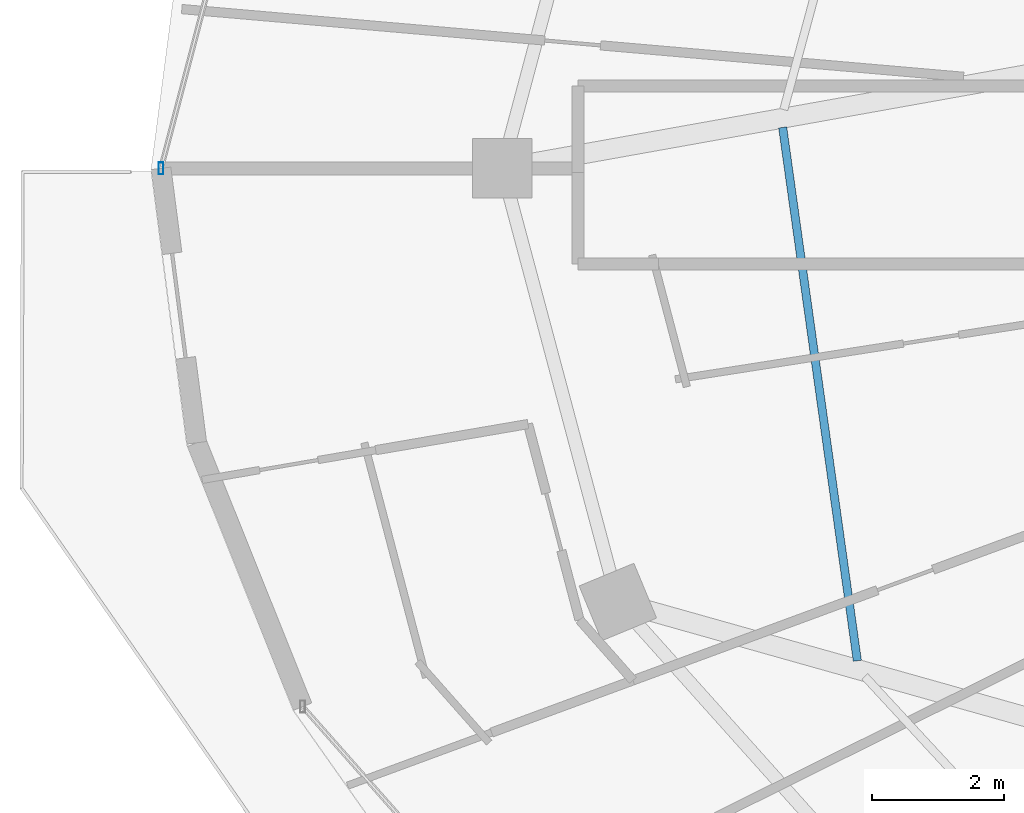
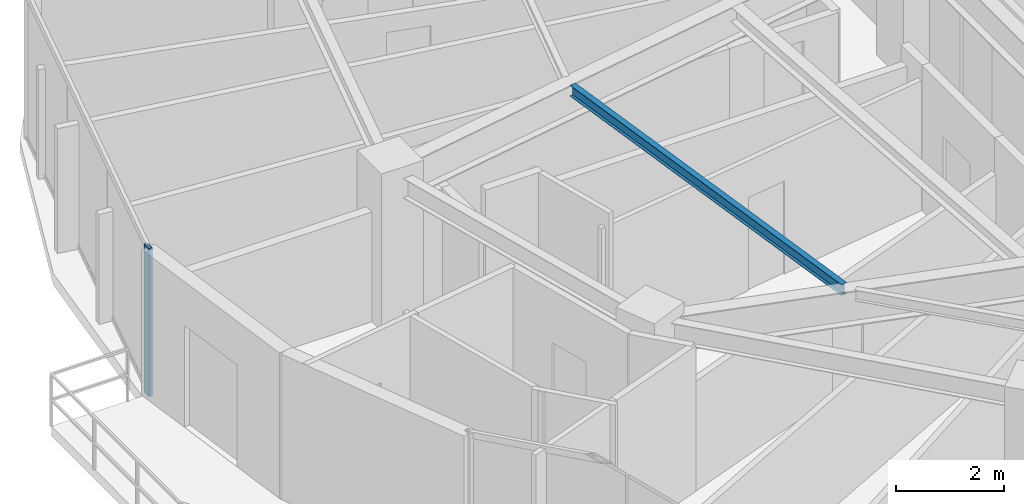
# One storey, part 7 of 33: 1 beam, 1 member, 1 element without a shape of its own.
"""IFC4 building model written with IfcOpenShell, lengths in metres."""

from ifc_helpers import new_model, si_unit, direction, frame, origin, origin_2d, place, context, subcontext, project, spatial, hollow_rectangle, i_section, extrude, material, material_profile, profile_set, type_object, element, aggregate, save


model = new_model("IFC4")

# Units and contexts
model_context = context("Model", 3, precision=1e-05, world=origin(), true_north=direction((0.0, 1.0)))
body_context = subcontext(model_context, "Body", "Model", "MODEL_VIEW")
ifc_project = project(units=[si_unit("LENGTHUNIT", "METRE"), si_unit("AREAUNIT", "SQUARE_METRE"), si_unit("VOLUMEUNIT", "CUBIC_METRE"), si_unit("PLANEANGLEUNIT", "RADIAN"), si_unit("MASSUNIT", "GRAM", prefix="KILO")], contexts=[model_context])

# Site, building, storey
site_placement = place(None, origin())
site = spatial("IfcSite", under=ifc_project, at=site_placement, CompositionType="ELEMENT")
building_placement = place(site_placement, origin())
building = spatial("IfcBuilding", under=site, at=building_placement, Name="Vorneva Point Tower", CompositionType="ELEMENT")
storey_placement = place(building_placement, frame((0.0, 0.0, 200.10009765625)))
storey = spatial("IfcBuildingStorey", under=building, at=storey_placement, Name="L54", CompositionType="ELEMENT", Elevation=200.10009765625)

# Beam
ifc_material_1 = material(Name="Steel S355", Category="steel")
ifc_material_profile_1 = material_profile(ifc_material_1, i_section(OverallWidth=0.1240234375, OverallDepth=0.248046875, WebThickness=0.0048828125, FlangeThickness=0.008056640625, at=origin_2d()), Name="25B1")
ifc_profile_set_1 = profile_set([ifc_material_profile_1], Name="Steel S355")
beam_type = type_object("IfcBeamType", Name="BM-JST-25B1", PredefinedType="JOIST", material=ifc_profile_set_1)
beam_placement = place(storey_placement, frame((19.20654296875, 26.62109375, 3.166015625), z_axis=(0.138644329347, -0.990342238794, 0.0), x_axis=(0.990342238794, 0.138644329347, 0.0)))
element("IfcBeam", 1, at=beam_placement, inside=storey, type_object=beam_type, Name="L54 Secondary Floor Beam 1.09", PredefinedType="JOIST", context=body_context, shape_type="SweptSolid", body=[
    extrude(i_section(OverallWidth=0.1240234375, OverallDepth=0.248046875, WebThickness=0.0048828125, FlangeThickness=0.008056640625, at=origin_2d()), origin(), (0.0, 0.0, 1.0), 8.174072265625),
])

# Curtain wall, member
ifc_material_2 = material(Name="Pale anodised aluminium", Category="aluminium")
curtain_wall_type = type_object("IfcCurtainWallType", Name="CW-RES-SYS", PredefinedType="NOTDEFINED", material=ifc_material_2)
curtain_wall_placement = place(storey_placement, origin())
curtain_wall = element("IfcCurtainWall", 2, at=curtain_wall_placement, inside=storey, type_object=curtain_wall_type, Name="L54 Unitised Curtain Wall CW-L54-R02", PredefinedType="NOTDEFINED")
ifc_material_profile_2 = material_profile(ifc_material_2, hollow_rectangle(XDim=0.074951171875, YDim=0.179931640625, WallThickness=0.00390625, at=origin_2d()), Name="AL-MUL 180x75x4")
ifc_profile_set_2 = profile_set([ifc_material_profile_2], Name="Pale anodised aluminium")
member_type = type_object("IfcMemberType", Name="CW-MUL-180", PredefinedType="MULLION", material=ifc_profile_set_2)
member_placement = place(storey_placement, frame((9.77001953125, 26.0, -0.0400390625), z_axis=(0.0, 0.0, 1.0), x_axis=(1.0, 0.0, 0.0)))
member = element("IfcMember", 3, at=member_placement, type_object=member_type, Name="CW-L54-R02 Mullion 03", PredefinedType="MULLION", context=body_context, shape_type="SweptSolid", body=[
    extrude(hollow_rectangle(XDim=0.074951171875, YDim=0.179931640625, WallThickness=0.00390625, at=origin_2d()), origin(), (0.0, 0.0, 1.0), 3.35986328125),
])
aggregate(curtain_wall, [member])

save(model, "model.ifc")
